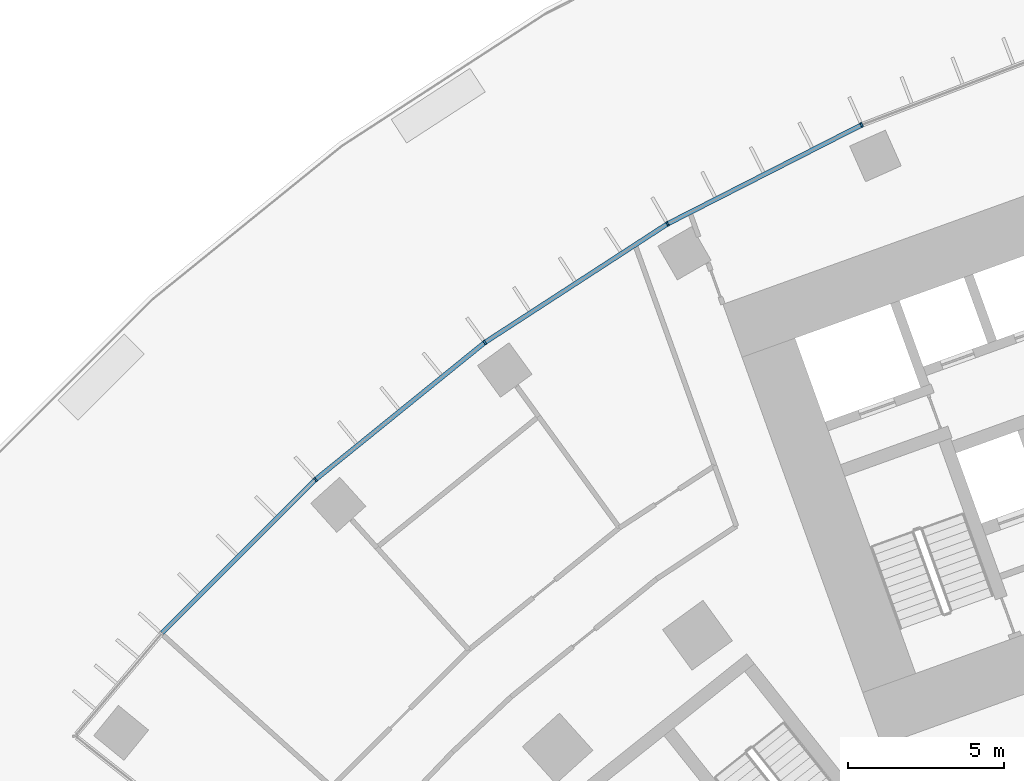
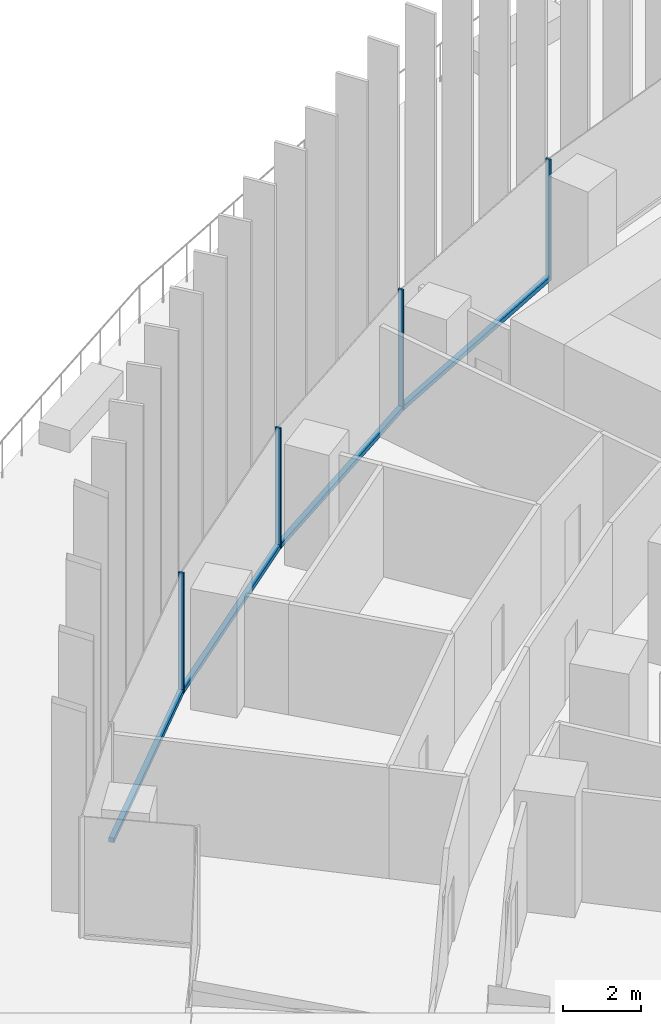
# One storey, part 5 of 24: 8 members, 1 element without a shape of its own.
"""IFC4 building model written with IfcOpenShell, lengths in metres."""

from ifc_helpers import new_model, si_unit, direction, frame, origin, origin_2d, place, context, subcontext, project, spatial, rectangle, extrude, material, layer, layer_set, material_profile, profile_set, type_object, element, aggregate, save


model = new_model("IFC4")

# Units and contexts
model_context = context("Model", 3, precision=1e-05, world=origin(), true_north=direction((0.0, 1.0)))
body_context = subcontext(model_context, "Body", "Model", "MODEL_VIEW")
ifc_project = project(units=[si_unit("LENGTHUNIT", "METRE"), si_unit("AREAUNIT", "SQUARE_METRE"), si_unit("VOLUMEUNIT", "CUBIC_METRE"), si_unit("PLANEANGLEUNIT", "RADIAN"), si_unit("MASSUNIT", "GRAM", prefix="KILO")], contexts=[model_context])

# Site, building, storey
site_placement = place(None, origin())
site = spatial("IfcSite", under=ifc_project, at=site_placement, CompositionType="ELEMENT")
building_placement = place(site_placement, origin())
building = spatial("IfcBuilding", under=site, at=building_placement, Name="Stone Belt Terrace Tower", CompositionType="ELEMENT")
storey_placement = place(building_placement, frame((0.0, 0.0, 30.0)))
storey = spatial("IfcBuildingStorey", under=building, at=storey_placement, Name="L06", CompositionType="ELEMENT", Elevation=30.0)

# Curtain wall, members
ifc_material = material(Name="Aluminium 6063-T6 anodised frame", Category="aluminium")
ifc_layer = layer(ifc_material, 0.14990234375)
ifc_layer_set = layer_set([ifc_layer], Name="CW-A unitised convex-face curtain wall")
curtain_wall_type = type_object("IfcCurtainWallType", Name="CW-A unitised convex-face curtain wall", PredefinedType="NOTDEFINED", material=ifc_layer_set)
curtain_wall_placement = place(storey_placement, origin())
curtain_wall = element("IfcCurtainWall", 1, at=curtain_wall_placement, inside=storey, type_object=curtain_wall_type, Name="CW-A convex face L06", PredefinedType="NOTDEFINED")
ifc_material_profile_1 = material_profile(ifc_material, rectangle(XDim=0.14990234375, YDim=0.06005859375, at=origin_2d()), Name="Aluminium 6063-T6 60x150")
ifc_profile_set_1 = profile_set([ifc_material_profile_1], Name="Aluminium 6063-T6 anodised frame")
member_type_1 = type_object("IfcMemberType", Name="CW-A mullion 60 x 150", PredefinedType="MULLION", material=ifc_profile_set_1)
member_1_placement = place(storey_placement, frame((-27.07861328125, 60.8193359375, 0.0), z_axis=(0.0, 0.0, 1.0), x_axis=(0.406736643076, -0.913545457643, 0.0)))
member_1 = element("IfcMember", 2, at=member_1_placement, type_object=member_type_1, Name="CW-A mullion 14", PredefinedType="MULLION", context=body_context, shape_type="SweptSolid", body=[
    extrude(rectangle(XDim=0.14990234375, YDim=0.06005859375, at=origin_2d()), origin(), (0.0, 0.0, 1.0), 3.800048828125),
])
member_2_placement = place(storey_placement, frame((-33.28759765625, 57.65576171875, 0.0), z_axis=(0.0, 0.0, 1.0), x_axis=(0.5, -0.866025403784, 0.0)))
member_2 = element("IfcMember", 3, at=member_2_placement, type_object=member_type_1, Name="CW-A mullion 15", PredefinedType="MULLION", context=body_context, shape_type="SweptSolid", body=[
    extrude(rectangle(XDim=0.14990234375, YDim=0.06005859375, at=origin_2d()), origin(), (0.0, 0.0, 1.0), 3.800048828125),
])
member_3_placement = place(storey_placement, frame((-39.1318359375, 53.8603515625, 0.0), z_axis=(0.0, 0.0, 1.0), x_axis=(0.587785252292, -0.809016994375, 0.0)))
member_3 = element("IfcMember", 4, at=member_3_placement, type_object=member_type_1, Name="CW-A mullion 16", PredefinedType="MULLION", context=body_context, shape_type="SweptSolid", body=[
    extrude(rectangle(XDim=0.14990234375, YDim=0.06005859375, at=origin_2d()), origin(), (0.0, 0.0, 1.0), 3.800048828125),
])
member_4_placement = place(storey_placement, frame((-44.54736328125, 49.474853515625, 0.0), z_axis=(0.0, 0.0, 1.0), x_axis=(0.669130606359, -0.743144825477, 0.0)))
member_4 = element("IfcMember", 5, at=member_4_placement, type_object=member_type_1, Name="CW-A mullion 17", PredefinedType="MULLION", context=body_context, shape_type="SweptSolid", body=[
    extrude(rectangle(XDim=0.14990234375, YDim=0.06005859375, at=origin_2d()), origin(), (0.0, 0.0, 1.0), 3.800048828125),
])
ifc_material_profile_2 = material_profile(ifc_material, rectangle(XDim=0.14990234375, YDim=0.139892578125, at=origin_2d()), Name="Aluminium 6063-T6 150x140")
ifc_profile_set_2 = profile_set([ifc_material_profile_2], Name="Aluminium 6063-T6 anodised frame")
member_type_2 = type_object("IfcMemberType", Name="CW-A transom 140 x 150", PredefinedType="USERDEFINED", material=ifc_profile_set_2)
member_5_placement = place(storey_placement, frame((-27.108642578125, 60.803955078125, 0.070068359375), z_axis=(-0.891012226264, -0.453979308613, 0.0), x_axis=(0.453979308613, -0.891012226264, 0.0)))
member_5 = element("IfcMember", 6, at=member_5_placement, type_object=member_type_2, Name="CW-A transom 14.1", ObjectType="TRANSOM", PredefinedType="USERDEFINED", context=body_context, shape_type="SweptSolid", body=[
    extrude(rectangle(XDim=0.14990234375, YDim=0.139892578125, at=origin_2d()), origin(), (0.0, 0.0, 1.0), 6.90087890625),
])
member_6_placement = place(storey_placement, frame((-33.31591796875, 57.63720703125, 0.070068359375), z_axis=(-0.83868440714, -0.544617723931, 0.0), x_axis=(0.544617723931, -0.83868440714, 0.0)))
member_6 = element("IfcMember", 7, at=member_6_placement, type_object=member_type_2, Name="CW-A transom 15.1", ObjectType="TRANSOM", PredefinedType="USERDEFINED", context=body_context, shape_type="SweptSolid", body=[
    extrude(rectangle(XDim=0.14990234375, YDim=0.139892578125, at=origin_2d()), origin(), (0.0, 0.0, 1.0), 6.90087890625),
])
member_7_placement = place(storey_placement, frame((-39.158203125, 53.839111328125, 0.070068359375), z_axis=(-0.777141048626, -0.629326457842, 0.0), x_axis=(0.629326457842, -0.777141048626, 0.0)))
member_7 = element("IfcMember", 8, at=member_7_placement, type_object=member_type_2, Name="CW-A transom 16.1", ObjectType="TRANSOM", PredefinedType="USERDEFINED", context=body_context, shape_type="SweptSolid", body=[
    extrude(rectangle(XDim=0.14990234375, YDim=0.139892578125, at=origin_2d()), origin(), (0.0, 0.0, 1.0), 6.900634765625),
])
member_8_placement = place(storey_placement, frame((-44.5712890625, 49.450927734375, 0.070068359375), z_axis=(-0.707106781187, -0.707106781187, 0.0), x_axis=(0.707106781187, -0.707106781187, 0.0)))
member_8 = element("IfcMember", 9, at=member_8_placement, type_object=member_type_2, Name="CW-A transom 17.1", ObjectType="TRANSOM", PredefinedType="USERDEFINED", context=body_context, shape_type="SweptSolid", body=[
    extrude(rectangle(XDim=0.14990234375, YDim=0.139892578125, at=origin_2d()), origin(), (0.0, 0.0, 1.0), 6.90087890625),
])
aggregate(curtain_wall, [member_1, member_2, member_3, member_4, member_5, member_6, member_7, member_8])

save(model, "model.ifc")
